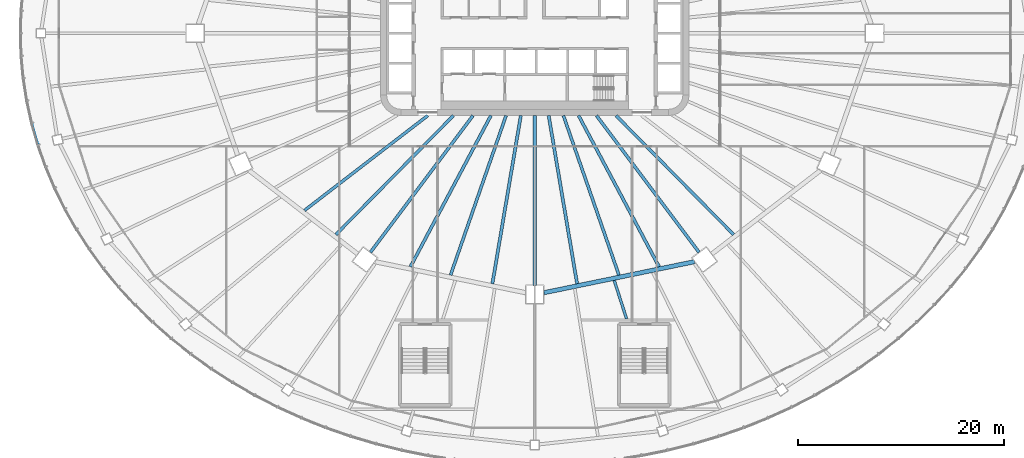
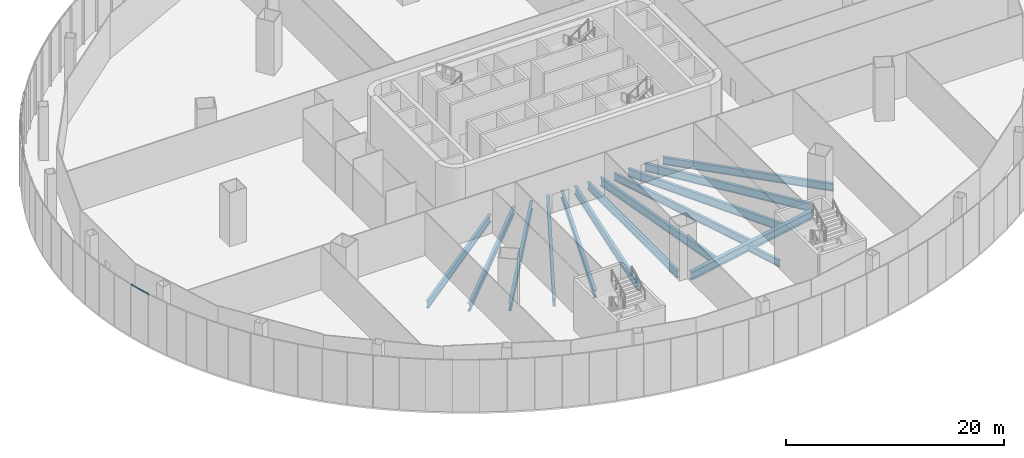
# One storey, part 5 of 37: 14 beams, 1 member, 1 element without a shape of its own.
"""IFC4 building model written with IfcOpenShell, lengths in metres."""

from ifc_helpers import new_model, si_unit, direction, frame, origin, origin_2d, place, context, subcontext, project, spatial, rectangle, i_section, extrude, material, layer, layer_set, material_profile, profile_set, type_object, element, aggregate, save


model = new_model("IFC4")

# Units and contexts
model_context = context("Model", 3, precision=1e-05, world=origin(), true_north=direction((0.0, 1.0)))
body_context = subcontext(model_context, "Body", "Model", "MODEL_VIEW")
ifc_project = project(units=[si_unit("LENGTHUNIT", "METRE"), si_unit("AREAUNIT", "SQUARE_METRE"), si_unit("VOLUMEUNIT", "CUBIC_METRE"), si_unit("PLANEANGLEUNIT", "RADIAN"), si_unit("MASSUNIT", "GRAM", prefix="KILO")], contexts=[model_context])

# Site, building, storey
site_placement = place(None, origin())
site = spatial("IfcSite", under=ifc_project, at=site_placement, CompositionType="ELEMENT")
building_placement = place(site_placement, origin())
building = spatial("IfcBuilding", under=site, at=building_placement, Name="Sahrelin Media Tower", CompositionType="ELEMENT")
storey_placement = place(building_placement, frame((0.0, 0.0, 31.39990234375)))
storey = spatial("IfcBuildingStorey", under=building, at=storey_placement, Name="L04", CompositionType="ELEMENT", Elevation=31.39990234375)

# Beams
ifc_material_1 = material(Name="Steel S355", Category="steel")
ifc_material_profile_1 = material_profile(ifc_material_1, i_section(OverallWidth=0.41845703125, OverallDepth=0.911865234375, WebThickness=0.019287109375, FlangeThickness=0.031982421875, FilletRadius=0.024169921875, at=origin_2d()), Name="UB 914x419x343")
ifc_profile_set_1 = profile_set([ifc_material_profile_1], Name="Steel S355")
beam_type_1 = type_object("IfcBeamType", Name="Podium ring girder PG12", PredefinedType="BEAM", material=ifc_profile_set_1)
beam_1_placement = place(storey_placement, frame((0.89990234375, -25.21435546875, -0.65576171875), z_axis=(0.979388513106, 0.201985495508, 0.0), x_axis=(-0.201985495508, 0.979388513106, 0.0)))
element("IfcBeam", 1, at=beam_1_placement, inside=storey, type_object=beam_type_1, Name="Podium girder L04-10", PredefinedType="BEAM", context=body_context, shape_type="SweptSolid", body=[
    extrude(i_section(OverallWidth=0.41845703125, OverallDepth=0.911865234375, WebThickness=0.019287109375, FlangeThickness=0.031982421875, FilletRadius=0.024169921875, at=origin_2d()), origin(), (0.0, 0.0, 1.0), 14.93359375),
])
ifc_material_profile_2 = material_profile(ifc_material_1, i_section(OverallWidth=0.291748046875, OverallDepth=0.8349609375, WebThickness=0.013916015625, FlangeThickness=0.018798828125, FilletRadius=0.017822265625, at=origin_2d()), Name="UB 838x292x176")
ifc_profile_set_2 = profile_set([ifc_material_profile_2], Name="Steel S355")
beam_type_2 = type_object("IfcBeamType", Name="Radial primary beam PB10", PredefinedType="BEAM", material=ifc_profile_set_2)
beam_2_placement = place(storey_placement, frame((-10.393798828125, -8.0, -0.6171875), z_axis=(-0.79244196099, -0.609947324335, 0.0), x_axis=(0.609947324335, -0.79244196099, 0.0)))
element("IfcBeam", 2, at=beam_2_placement, inside=storey, type_object=beam_type_2, Name="Radial beam L04-16", PredefinedType="BEAM", context=body_context, shape_type="SweptSolid", body=[
    extrude(i_section(OverallWidth=0.291748046875, OverallDepth=0.8349609375, WebThickness=0.013916015625, FlangeThickness=0.018798828125, FilletRadius=0.017822265625, at=origin_2d()), origin(), (0.0, 0.0, 1.0), 15.1103515625),
])
beam_3_placement = place(storey_placement, frame((-2.784912109375, -8.0, -0.6171875), z_axis=(-0.328776215552, -0.944407856854, 0.0), x_axis=(0.944407856854, -0.328776215552, 0.0)))
element("IfcBeam", 3, at=beam_3_placement, inside=storey, type_object=beam_type_2, Name="Radial beam L04-18", PredefinedType="BEAM", context=body_context, shape_type="SweptSolid", body=[
    extrude(i_section(OverallWidth=0.291748046875, OverallDepth=0.8349609375, WebThickness=0.013916015625, FlangeThickness=0.018798828125, FilletRadius=0.017822265625, at=origin_2d()), origin(), (0.0, 0.0, 1.0), 16.41162109375),
])
beam_4_placement = place(storey_placement, frame((0.0, -8.0, -0.6171875), z_axis=(0.0, -1.0, 0.0), x_axis=(1.0, 0.0, 0.0)))
element("IfcBeam", 4, at=beam_4_placement, inside=storey, type_object=beam_type_2, Name="Radial beam L04-19", PredefinedType="BEAM", context=body_context, shape_type="SweptSolid", body=[
    extrude(i_section(OverallWidth=0.291748046875, OverallDepth=0.8349609375, WebThickness=0.013916015625, FlangeThickness=0.018798828125, FilletRadius=0.017822265625, at=origin_2d()), origin(), (0.0, 0.0, 1.0), 16.5),
])
beam_5_placement = place(storey_placement, frame((2.784912109375, -8.0, -0.6171875), z_axis=(0.328776215552, -0.944407856854, 0.0), x_axis=(0.944407856854, 0.328776215552, 0.0)))
element("IfcBeam", 5, at=beam_5_placement, inside=storey, type_object=beam_type_2, Name="Radial beam L04-20", PredefinedType="BEAM", context=body_context, shape_type="SweptSolid", body=[
    extrude(i_section(OverallWidth=0.291748046875, OverallDepth=0.8349609375, WebThickness=0.013916015625, FlangeThickness=0.018798828125, FilletRadius=0.017822265625, at=origin_2d()), origin(), (0.0, 0.0, 1.0), 16.41162109375),
])
ifc_material_profile_3 = material_profile(ifc_material_1, i_section(OverallWidth=0.30322265625, OverallDepth=0.903076171875, WebThickness=0.01513671875, FlangeThickness=0.020263671875, FilletRadius=0.01904296875, at=origin_2d()), Name="UB 914x305x201")
ifc_profile_set_3 = profile_set([ifc_material_profile_3], Name="Steel S355")
beam_type_3 = type_object("IfcBeamType", Name="Radial primary beam PB11", PredefinedType="BEAM", material=ifc_profile_set_3)
for number, where, z_axis, x_axis, name in (
    (6, (-6.000732421875, -8.0, -0.6513671875), (-0.600054130443, -0.799959399306, 0.0), (0.799959399306, -0.600054130443, 0.0), "Radial beam L04-17"),
    (7, (6.000732421875, -8.0, -0.6513671875), (0.600054130443, -0.799959399306, 0.0), (0.799959399306, 0.600054130443, 0.0), "Radial beam L04-21"),
):
    element("IfcBeam", number, at=place(storey_placement, frame(where, z_axis=z_axis, x_axis=x_axis)), inside=storey, type_object=beam_type_3, Name=name, PredefinedType="BEAM", context=body_context, shape_type="SweptSolid", body=[
        extrude(i_section(OverallWidth=0.30322265625, OverallDepth=0.903076171875, WebThickness=0.01513671875, FlangeThickness=0.020263671875, FilletRadius=0.01904296875, at=origin_2d()), origin(), (0.0, 0.0, 1.0), 16.59716796875),
    ])
ifc_material_profile_4 = material_profile(ifc_material_1, i_section(OverallWidth=0.26513671875, OverallDepth=0.75390625, WebThickness=0.0126953125, FlangeThickness=0.017578125, FilletRadius=0.0166015625, at=origin_2d()), Name="UB 762x267x147")
ifc_profile_set_4 = profile_set([ifc_material_profile_4], Name="Steel S355")
beam_type_4 = type_object("IfcBeamType", Name="Radial primary beam PB9", PredefinedType="BEAM", material=ifc_profile_set_4)
beam_6_placement = place(storey_placement, frame((7.7236328125, -24.020751953125, -0.576904296875), z_axis=(0.30607575523, -0.952007159669, 0.0), x_axis=(0.952007159669, 0.30607575523, 0.0)))
element("IfcBeam", 8, at=beam_6_placement, inside=storey, type_object=beam_type_4, Name="Radial beam L04-23", PredefinedType="BEAM", context=body_context, shape_type="SweptSolid", body=[
    extrude(i_section(OverallWidth=0.26513671875, OverallDepth=0.75390625, WebThickness=0.0126953125, FlangeThickness=0.017578125, FilletRadius=0.0166015625, at=origin_2d()), origin(), (0.0, 0.0, 1.0), 3.917236328125),
])
ifc_material_profile_5 = material_profile(ifc_material_1, i_section(OverallWidth=0.291748046875, OverallDepth=0.8349609375, WebThickness=0.013916015625, FlangeThickness=0.018798828125, FilletRadius=0.017822265625, at=origin_2d()), Name="UB 838x292x176")
ifc_profile_set_5 = profile_set([ifc_material_profile_5], Name="Steel S355")
beam_type_5 = type_object("IfcBeamType", Name="Radial secondary beam SB10", PredefinedType="BEAM", material=ifc_profile_set_5)
for number, where, z_axis, x_axis, name in (
    (9, (-7.901123046875, -8.0, -0.6171875), (-0.702706329063, -0.711480017355, 0.0), (0.711480017355, -0.702706329063, 0.0), "Secondary beam L04-16"),
    (10, (7.901123046875, -8.0, -0.6171875), (0.702706329063, -0.711480017355, 0.0), (0.711480017355, 0.702706329063, 0.0), "Secondary beam L04-21"),
):
    element("IfcBeam", number, at=place(storey_placement, frame(where, z_axis=z_axis, x_axis=x_axis)), inside=storey, type_object=beam_type_5, Name=name, PredefinedType="BEAM", context=body_context, shape_type="SweptSolid", body=[
        extrude(i_section(OverallWidth=0.291748046875, OverallDepth=0.8349609375, WebThickness=0.013916015625, FlangeThickness=0.018798828125, FilletRadius=0.017822265625, at=origin_2d()), origin(), (0.0, 0.0, 1.0), 16.250732421875),
    ])
ifc_material_profile_6 = material_profile(ifc_material_1, i_section(OverallWidth=0.30322265625, OverallDepth=0.903076171875, WebThickness=0.01513671875, FlangeThickness=0.020263671875, FilletRadius=0.01904296875, at=origin_2d()), Name="UB 914x305x201")
ifc_profile_set_6 = profile_set([ifc_material_profile_6], Name="Steel S355")
beam_type_6 = type_object("IfcBeamType", Name="Radial secondary beam SB11", PredefinedType="BEAM", material=ifc_profile_set_6)
beam_7_placement = place(storey_placement, frame((-4.259765625, -8.0, -0.6513671875), z_axis=(-0.469997453325, -0.882667770947, 0.0), x_axis=(0.882667770947, -0.469997453325, 0.0)))
element("IfcBeam", 11, at=beam_7_placement, inside=storey, type_object=beam_type_6, Name="Secondary beam L04-17", PredefinedType="BEAM", context=body_context, shape_type="SweptSolid", body=[
    extrude(i_section(OverallWidth=0.30322265625, OverallDepth=0.903076171875, WebThickness=0.01513671875, FlangeThickness=0.020263671875, FilletRadius=0.01904296875, at=origin_2d()), origin(), (0.0, 0.0, 1.0), 16.6474609375),
])
for number, where, z_axis, x_axis, name in (
    (12, (-1.352783203125, -8.0, -0.6513671875), (-0.166704262426, -0.986006941603, 0.0), (0.986006941603, -0.166704262426, 0.0), "Secondary beam L04-18"),
    (13, (1.352783203125, -8.0, -0.6513671875), (0.166704262426, -0.986006941603, 0.0), (0.986006941603, 0.166704262426, 0.0), "Secondary beam L04-19"),
):
    element("IfcBeam", number, at=place(storey_placement, frame(where, z_axis=z_axis, x_axis=x_axis)), inside=storey, type_object=beam_type_6, Name=name, PredefinedType="BEAM", context=body_context, shape_type="SweptSolid", body=[
        extrude(i_section(OverallWidth=0.30322265625, OverallDepth=0.903076171875, WebThickness=0.01513671875, FlangeThickness=0.020263671875, FilletRadius=0.01904296875, at=origin_2d()), origin(), (0.0, 0.0, 1.0), 16.569580078125),
    ])
beam_8_placement = place(storey_placement, frame((4.259765625, -8.0, -0.6513671875), z_axis=(0.469997453325, -0.882667770947, 0.0), x_axis=(0.882667770947, 0.469997453325, 0.0)))
element("IfcBeam", 14, at=beam_8_placement, inside=storey, type_object=beam_type_6, Name="Secondary beam L04-20", PredefinedType="BEAM", context=body_context, shape_type="SweptSolid", body=[
    extrude(i_section(OverallWidth=0.30322265625, OverallDepth=0.903076171875, WebThickness=0.01513671875, FlangeThickness=0.020263671875, FilletRadius=0.01904296875, at=origin_2d()), origin(), (0.0, 0.0, 1.0), 16.6474609375),
])

# Curtain wall, member
ifc_material_2 = material(Name="Champagne anodised aluminium 6063-T6", Category="aluminium")
ifc_layer = layer(ifc_material_2, 0.14990234375)
ifc_layer_set = layer_set([ifc_layer], Name="Podium ribbon curtain wall")
curtain_wall_type = type_object("IfcCurtainWallType", Name="Podium ribbon curtain wall", PredefinedType="NOTDEFINED", material=ifc_layer_set)
curtain_wall_placement = place(storey_placement, frame((-50.0, 0.0, 0.0), z_axis=(0.0, 0.0, 1.0), x_axis=(1.0, 0.0, 0.0)))
curtain_wall = element("IfcCurtainWall", 15, at=curtain_wall_placement, inside=storey, type_object=curtain_wall_type, Name="L04:CW:L04-P12", PredefinedType="NOTDEFINED")
ifc_material_profile_7 = material_profile(ifc_material_2, rectangle(XDim=0.06005859375, YDim=0.14990234375, at=origin_2d()), Name="Transom 60x150")
ifc_profile_set_7 = profile_set([ifc_material_profile_7], Name="Champagne anodised aluminium 6063-T6")
member_type = type_object("IfcMemberType", Name="Transom 60x150 CW5", PredefinedType="USERDEFINED", material=ifc_profile_set_7)
member_placement = place(storey_placement, frame((-48.845703125, -8.7666015625, 5.72509765625), z_axis=(0.274824960972, -0.961494274984, 0.0), x_axis=(0.961494274984, 0.274824960972, 0.0)))
member = element("IfcMember", 16, at=member_placement, type_object=member_type, Name="L04:CWT5a:L04-P12", ObjectType="TRANSOM", PredefinedType="USERDEFINED", context=body_context, shape_type="SweptSolid", body=[
    extrude(rectangle(XDim=0.06005859375, YDim=0.14990234375, at=origin_2d()), origin(), (0.0, 0.0, 1.0), 2.173828125),
])
aggregate(curtain_wall, [member])

save(model, "model.ifc")
